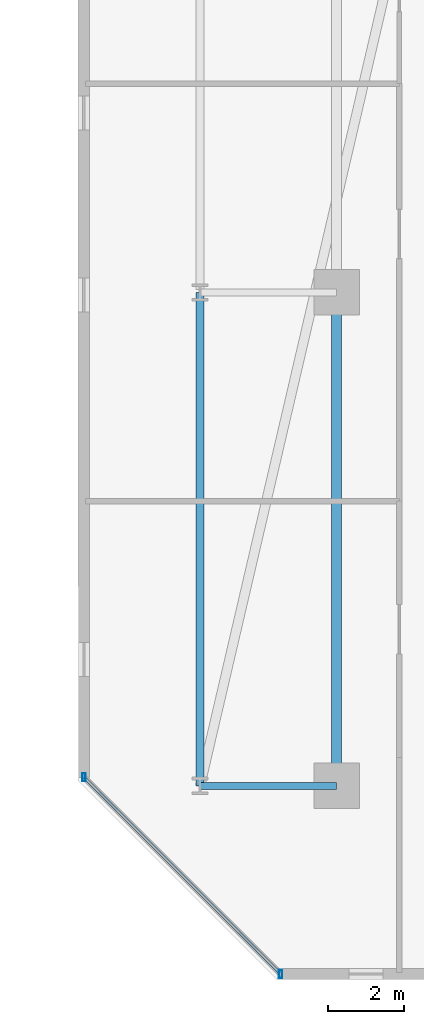
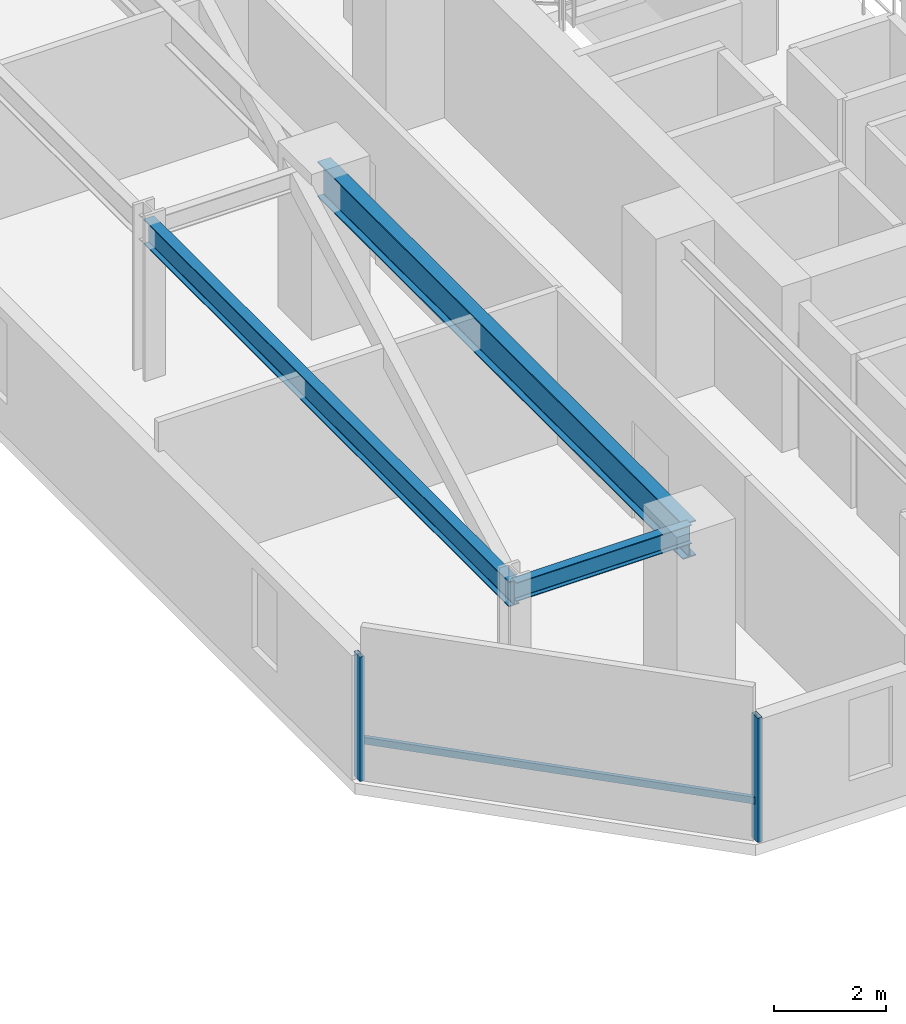
# One storey, part 6 of 31: 3 beams, 3 members, 1 element without a shape of its own.
"""IFC4 building model written with IfcOpenShell, lengths in metres."""

from ifc_helpers import new_model, si_unit, direction, frame, origin, origin_2d, place, context, subcontext, project, spatial, hollow_rectangle, i_section, extrude, material, material_profile, profile_set, type_object, element, aggregate, save


model = new_model("IFC4")

# Units and contexts
model_context = context("Model", 3, precision=1e-05, world=origin(), true_north=direction((0.0, 1.0)))
body_context = subcontext(model_context, "Body", "Model", "MODEL_VIEW")
ifc_project = project(units=[si_unit("LENGTHUNIT", "METRE"), si_unit("AREAUNIT", "SQUARE_METRE"), si_unit("VOLUMEUNIT", "CUBIC_METRE"), si_unit("PLANEANGLEUNIT", "RADIAN"), si_unit("MASSUNIT", "GRAM", prefix="KILO")], contexts=[model_context])

# Site, building, storey
site_placement = place(None, origin())
site = spatial("IfcSite", under=ifc_project, at=site_placement, CompositionType="ELEMENT")
building_placement = place(site_placement, origin())
building = spatial("IfcBuilding", under=site, at=building_placement, Name="Thornwick Lancets Civic Towers", CompositionType="ELEMENT")
storey_placement = place(building_placement, frame((0.0, 0.0, 87.300048828125)))
storey = spatial("IfcBuildingStorey", under=building, at=storey_placement, Name="L22", CompositionType="ELEMENT", Elevation=87.300048828125)

# Beams
ifc_material_1 = material(Name="Steel S355JR", Category="steel")
ifc_material_profile_1 = material_profile(ifc_material_1, i_section(OverallWidth=0.2119140625, OverallDepth=0.54443359375, WebThickness=0.0126953125, FlangeThickness=0.021240234375, FilletRadius=0.0126953125, at=origin_2d()), Name="UKB 533x210x122")
ifc_profile_set_1 = profile_set([ifc_material_profile_1], Name="Steel S355JR")
beam_type_1 = type_object("IfcBeamType", Name="BM_EDGE_533_122", PredefinedType="SPANDREL", material=ifc_profile_set_1)
beam_1_placement = place(storey_placement, frame((67.60009765625, 14.0, 3.087646484375), z_axis=(0.0, 1.0, 0.0), x_axis=(-1.0, 0.0, 0.0)))
element("IfcBeam", 1, at=beam_1_placement, inside=storey, type_object=beam_type_1, Name="BM-EDGE-L22-B-S2-1", PredefinedType="SPANDREL", context=body_context, shape_type="SweptSolid", body=[
    extrude(i_section(OverallWidth=0.2119140625, OverallDepth=0.54443359375, WebThickness=0.0126953125, FlangeThickness=0.021240234375, FilletRadius=0.0126953125, at=origin_2d()), origin(), (0.0, 0.0, 1.0), 13.0),
])
ifc_material_profile_2 = material_profile(ifc_material_1, i_section(OverallWidth=0.26806640625, OverallDepth=0.769775390625, WebThickness=0.015625, FlangeThickness=0.025390625, FilletRadius=0.0166015625, at=origin_2d()), Name="UKB 762x267x197")
ifc_profile_set_2 = profile_set([ifc_material_profile_2], Name="Steel S355JR")
beam_type_2 = type_object("IfcBeamType", Name="BM_GIRD_762_197", PredefinedType="BEAM", material=ifc_profile_set_2)
beam_2_placement = place(storey_placement, frame((71.199951171875, 14.0, 2.97509765625), z_axis=(0.0, 1.0, 0.0), x_axis=(-1.0, 0.0, 0.0)))
element("IfcBeam", 2, at=beam_2_placement, inside=storey, type_object=beam_type_2, Name="BM-SPINE-L22-B-6-7", PredefinedType="BEAM", context=body_context, shape_type="SweptSolid", body=[
    extrude(i_section(OverallWidth=0.26806640625, OverallDepth=0.769775390625, WebThickness=0.015625, FlangeThickness=0.025390625, FilletRadius=0.0166015625, at=origin_2d()), origin(), (0.0, 0.0, 1.0), 13.0),
])
ifc_material_profile_3 = material_profile(ifc_material_1, i_section(OverallWidth=0.179443359375, OverallDepth=0.412841796875, WebThickness=0.009521484375, FlangeThickness=0.01611328125, FilletRadius=0.01025390625, at=origin_2d()), Name="UKB 406x178x74")
ifc_profile_set_3 = profile_set([ifc_material_profile_3], Name="Steel S355JR")
beam_type_3 = type_object("IfcBeamType", Name="BM_JOIST_406_74", PredefinedType="JOIST", material=ifc_profile_set_3)
beam_3_placement = place(storey_placement, frame((71.199951171875, 14.0, 3.153564453125), z_axis=(-1.0, 0.0, 0.0), x_axis=(0.0, -1.0, 0.0)))
element("IfcBeam", 3, at=beam_3_placement, inside=storey, type_object=beam_type_3, Name="BM-RAD-L22-B07", PredefinedType="JOIST", context=body_context, shape_type="SweptSolid", body=[
    extrude(i_section(OverallWidth=0.179443359375, OverallDepth=0.412841796875, WebThickness=0.009521484375, FlangeThickness=0.01611328125, FilletRadius=0.01025390625, at=origin_2d()), origin(), (0.0, 0.0, 1.0), 3.599853515625),
])

# Curtain wall, members
ifc_material_2 = material(Name="Low-zone chamfered-corner unitised glass curtain wall", Category="glass")
curtain_wall_type = type_object("IfcCurtainWallType", Name="CW_SYS_03", PredefinedType="NOTDEFINED", material=ifc_material_2)
curtain_wall_placement = place(storey_placement, origin())
curtain_wall = element("IfcCurtainWall", 4, at=curtain_wall_placement, inside=storey, type_object=curtain_wall_type, Name="L22 Curtain Wall CW-L22-B-E7", PredefinedType="NOTDEFINED")
ifc_material_3 = material(Name="Thermally broken bronze aluminium S355", Category="steel")
ifc_material_profile_4 = material_profile(ifc_material_3, hollow_rectangle(XDim=0.090087890625, YDim=0.219970703125, WallThickness=0.00634765625, at=origin_2d()), Name="RHS 220x90x6.3")
ifc_profile_set_4 = profile_set([ifc_material_profile_4], Name="Thermally broken bronze aluminium S355")
member_type_1 = type_object("IfcMemberType", Name="CW_MUL_220", PredefinedType="MULLION", material=ifc_profile_set_4)
member_1_placement = place(storey_placement, frame((64.543701171875, 14.226318359375, 0.0), z_axis=(0.0, 0.0, 1.0), x_axis=(1.0, 0.0, 0.0)))
member_1 = element("IfcMember", 5, at=member_1_placement, type_object=member_type_1, Name="CW-L22-B-E7 Mullion 0", PredefinedType="MULLION", context=body_context, shape_type="SweptSolid", body=[
    extrude(hollow_rectangle(XDim=0.090087890625, YDim=0.219970703125, WallThickness=0.00634765625, at=origin_2d()), origin(), (0.0, 0.0, 1.0), 2.699951171875),
])
member_2_placement = place(storey_placement, frame((69.726318359375, 9.043701171875, 0.0), z_axis=(0.0, 0.0, 1.0), x_axis=(1.0, 0.0, 0.0)))
member_2 = element("IfcMember", 6, at=member_2_placement, type_object=member_type_1, Name="CW-L22-B-E7 Mullion 1", PredefinedType="MULLION", context=body_context, shape_type="SweptSolid", body=[
    extrude(hollow_rectangle(XDim=0.090087890625, YDim=0.219970703125, WallThickness=0.00634765625, at=origin_2d()), origin(), (0.0, 0.0, 1.0), 2.699951171875),
])
ifc_material_profile_5 = material_profile(ifc_material_3, hollow_rectangle(XDim=0.074951171875, YDim=0.14990234375, WallThickness=0.0048828125, at=origin_2d()), Name="RHS 150x75x5")
ifc_profile_set_5 = profile_set([ifc_material_profile_5], Name="Thermally broken bronze aluminium S355")
member_type_2 = type_object("IfcMemberType", Name="CW_TRN_150", PredefinedType="USERDEFINED", material=ifc_profile_set_5)
member_3_placement = place(storey_placement, frame((64.557861328125, 14.212158203125, 0.849853515625), z_axis=(0.707106781187, -0.707106781187, 0.0), x_axis=(0.707106781187, 0.707106781187, 0.0)))
member_3 = element("IfcMember", 7, at=member_3_placement, type_object=member_type_2, Name="CW-L22-B-E7 Transom 0", ObjectType="TRANSOM", PredefinedType="USERDEFINED", context=body_context, shape_type="SweptSolid", body=[
    extrude(hollow_rectangle(XDim=0.074951171875, YDim=0.14990234375, WallThickness=0.0048828125, at=origin_2d()), origin(), (0.0, 0.0, 1.0), 7.289306640625),
])
aggregate(curtain_wall, [member_1, member_2, member_3])

save(model, "model.ifc")
